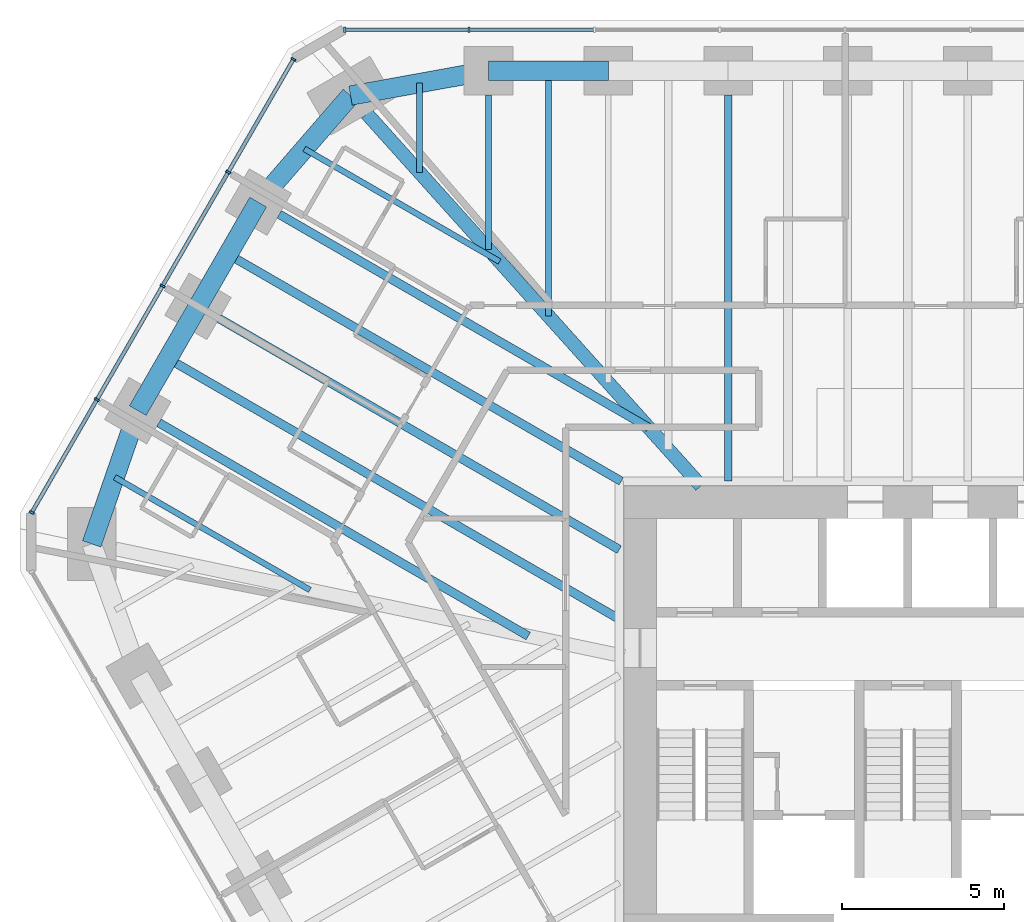
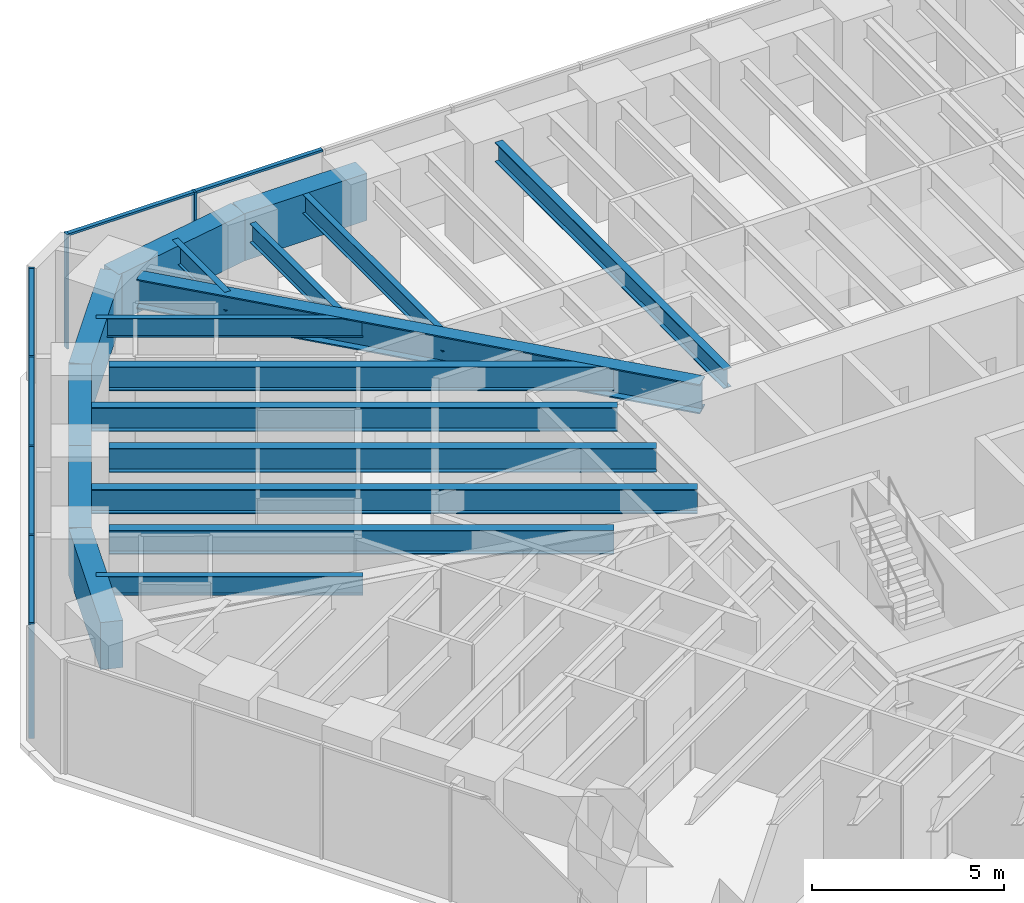
# One storey, part 7 of 17: 18 beams, 13 members, 2 elements without a shape of their own.
"""IFC4 building model written with IfcOpenShell, lengths in metres."""

from ifc_helpers import new_model, si_unit, direction, frame, origin, origin_2d, place, context, subcontext, project, spatial, rectangle, i_section, extrude, material, material_profile, profile_set, type_object, element, aggregate, save


model = new_model("IFC4")

# Units and contexts
model_context = context("Model", 3, precision=1e-05, world=origin(), true_north=direction((0.0, 1.0)))
body_context = subcontext(model_context, "Body", "Model", "MODEL_VIEW")
ifc_project = project(units=[si_unit("LENGTHUNIT", "METRE"), si_unit("AREAUNIT", "SQUARE_METRE"), si_unit("VOLUMEUNIT", "CUBIC_METRE"), si_unit("PLANEANGLEUNIT", "RADIAN"), si_unit("MASSUNIT", "GRAM", prefix="KILO")], contexts=[model_context])

# Site, building, storey
site_placement = place(None, origin())
site = spatial("IfcSite", under=ifc_project, at=site_placement, CompositionType="ELEMENT")
building_placement = place(site_placement, origin())
building = spatial("IfcBuilding", under=site, at=building_placement, Name="Sandreach Pilgrim Tower", CompositionType="ELEMENT")
storey_placement = place(building_placement, frame((0.0, 0.0, 194.60009765625)))
storey = spatial("IfcBuildingStorey", under=building, at=storey_placement, Name="L48", CompositionType="ELEMENT", Elevation=194.60009765625)

# Curtain wall, members
ifc_material_1 = material(Name="Aluminium framed curtain wall", Category="aluminium")
curtain_wall_type = type_object("IfcCurtainWallType", Name="Upper hotel tower curtain wall", PredefinedType="NOTDEFINED", material=ifc_material_1)
curtain_wall_1_placement = place(storey_placement, origin())
curtain_wall_1 = element("IfcCurtainWall", 1, at=curtain_wall_1_placement, inside=storey, type_object=curtain_wall_type, Name="CW-3 L48 N", PredefinedType="NOTDEFINED")
ifc_material_2 = material(Name="Aluminium extrusion", Category="aluminium")
ifc_material_profile_1 = material_profile(ifc_material_2, rectangle(XDim=0.06494140625, YDim=0.159912109375, at=origin_2d()), Name="CW-3M 65X160")
ifc_profile_set_1 = profile_set([ifc_material_profile_1], Name="Aluminium extrusion")
member_type_1 = type_object("IfcMemberType", Name="CW-3 mullion", PredefinedType="MULLION", material=ifc_profile_set_1)
member_1_placement = place(storey_placement, frame((-17.357421875, 21.16015625, 0.0), z_axis=(0.0, 0.0, 1.0), x_axis=(1.0, 0.0, 0.0)))
member_1 = element("IfcMember", 2, at=member_1_placement, type_object=member_type_1, Name="CW-3 mullion 1", PredefinedType="MULLION", context=body_context, shape_type="SweptSolid", body=[
    extrude(rectangle(XDim=0.06494140625, YDim=0.159912109375, at=origin_2d()), origin(), (0.0, 0.0, 1.0), 3.639892578125),
])
member_2_placement = place(storey_placement, frame((-13.525390625, 21.16015625, 0.0), z_axis=(0.0, 0.0, 1.0), x_axis=(1.0, 0.0, 0.0)))
member_2 = element("IfcMember", 3, at=member_2_placement, type_object=member_type_1, Name="CW-3 mullion 2", PredefinedType="MULLION", context=body_context, shape_type="SweptSolid", body=[
    extrude(rectangle(XDim=0.06494140625, YDim=0.159912109375, at=origin_2d()), origin(), (0.0, 0.0, 1.0), 3.639892578125),
])

curtain_wall_2_placement = place(storey_placement, origin())
curtain_wall_2 = element("IfcCurtainWall", 4, at=curtain_wall_2_placement, inside=storey, type_object=curtain_wall_type, Name="CW-3 L48 NW", PredefinedType="NOTDEFINED")
member_3_placement = place(storey_placement, frame((-27.00390625, 6.278076171875, 0.0), z_axis=(0.0, 0.0, 1.0), x_axis=(0.5, 0.866025403784, 0.0)))
member_3 = element("IfcMember", 5, at=member_3_placement, type_object=member_type_1, Name="CW-3 mullion 1", PredefinedType="MULLION", context=body_context, shape_type="SweptSolid", body=[
    extrude(rectangle(XDim=0.06494140625, YDim=0.159912109375, at=origin_2d()), origin(), (0.0, 0.0, 1.0), 3.639892578125),
])
member_4_placement = place(storey_placement, frame((-24.995849609375, 9.75634765625, 0.0), z_axis=(0.0, 0.0, 1.0), x_axis=(0.5, 0.866025403784, 0.0)))
member_4 = element("IfcMember", 6, at=member_4_placement, type_object=member_type_1, Name="CW-3 mullion 2", PredefinedType="MULLION", context=body_context, shape_type="SweptSolid", body=[
    extrude(rectangle(XDim=0.06494140625, YDim=0.159912109375, at=origin_2d()), origin(), (0.0, 0.0, 1.0), 3.639892578125),
])
member_5_placement = place(storey_placement, frame((-22.971435546875, 13.262451171875, 0.0), z_axis=(0.0, 0.0, 1.0), x_axis=(0.5, 0.866025403784, 0.0)))
member_5 = element("IfcMember", 7, at=member_5_placement, type_object=member_type_1, Name="CW-3 mullion 3", PredefinedType="MULLION", context=body_context, shape_type="SweptSolid", body=[
    extrude(rectangle(XDim=0.06494140625, YDim=0.159912109375, at=origin_2d()), origin(), (0.0, 0.0, 1.0), 3.639892578125),
])
member_6_placement = place(storey_placement, frame((-20.947021484375, 16.768798828125, 0.0), z_axis=(0.0, 0.0, 1.0), x_axis=(0.5, 0.866025403784, 0.0)))
member_6 = element("IfcMember", 8, at=member_6_placement, type_object=member_type_1, Name="CW-3 mullion 4", PredefinedType="MULLION", context=body_context, shape_type="SweptSolid", body=[
    extrude(rectangle(XDim=0.06494140625, YDim=0.159912109375, at=origin_2d()), origin(), (0.0, 0.0, 1.0), 3.639892578125),
])
member_7_placement = place(storey_placement, frame((-18.93896484375, 20.2470703125, 0.0), z_axis=(0.0, 0.0, 1.0), x_axis=(0.5, 0.866025403784, 0.0)))
member_7 = element("IfcMember", 9, at=member_7_placement, type_object=member_type_1, Name="CW-3 mullion 5", PredefinedType="MULLION", context=body_context, shape_type="SweptSolid", body=[
    extrude(rectangle(XDim=0.06494140625, YDim=0.159912109375, at=origin_2d()), origin(), (0.0, 0.0, 1.0), 3.639892578125),
])

# Member
ifc_material_3 = material(Name="Aluminium extrusion", Category="aluminium")
ifc_material_profile_2 = material_profile(ifc_material_3, rectangle(XDim=0.1201171875, YDim=0.070068359375, at=origin_2d()), Name="CW-3T 120X70")
ifc_profile_set_2 = profile_set([ifc_material_profile_2], Name="Aluminium extrusion")
member_type_2 = type_object("IfcMemberType", Name="CW-3 transom", PredefinedType="USERDEFINED", material=ifc_profile_set_2)
member_8_placement = place(storey_placement, frame((-17.324951171875, 21.16015625, 3.60498046875), z_axis=(1.0, 0.0, 0.0), x_axis=(0.0, 1.0, 0.0)))
member_8 = element("IfcMember", 10, at=member_8_placement, type_object=member_type_2, Name="CW-3 head transom 1", ObjectType="TRANSOM", PredefinedType="USERDEFINED", context=body_context, shape_type="SweptSolid", body=[
    extrude(rectangle(XDim=0.1201171875, YDim=0.070068359375, at=origin_2d()), origin(), (0.0, 0.0, 1.0), 3.76708984375),
])

member_9_placement = place(storey_placement, frame((-13.492919921875, 21.16015625, 3.60498046875), z_axis=(1.0, 0.0, 0.0), x_axis=(0.0, 1.0, 0.0)))
member_9 = element("IfcMember", 11, at=member_9_placement, type_object=member_type_2, Name="CW-3 head transom 2", ObjectType="TRANSOM", PredefinedType="USERDEFINED", context=body_context, shape_type="SweptSolid", body=[
    extrude(rectangle(XDim=0.1201171875, YDim=0.070068359375, at=origin_2d()), origin(), (0.0, 0.0, 1.0), 3.79931640625),
])

aggregate(curtain_wall_1, [member_1, member_2, member_8, member_9])

member_10_placement = place(storey_placement, frame((-26.987548828125, 6.306396484375, 3.60498046875), z_axis=(0.499993448556, 0.866029186229, 0.0), x_axis=(-0.866029186229, 0.499993448556, 0.0)))
member_10 = element("IfcMember", 12, at=member_10_placement, type_object=member_type_2, Name="CW-3 head transom 1", ObjectType="TRANSOM", PredefinedType="USERDEFINED", context=body_context, shape_type="SweptSolid", body=[
    extrude(rectangle(XDim=0.1201171875, YDim=0.070068359375, at=origin_2d()), origin(), (0.0, 0.0, 1.0), 3.951171875),
])

member_11_placement = place(storey_placement, frame((-24.9794921875, 9.784423828125, 3.60498046875), z_axis=(0.499975332564, 0.866039645067, 0.0), x_axis=(-0.866039645067, 0.499975332564, 0.0)))
member_11 = element("IfcMember", 13, at=member_11_placement, type_object=member_type_2, Name="CW-3 head transom 2", ObjectType="TRANSOM", PredefinedType="USERDEFINED", context=body_context, shape_type="SweptSolid", body=[
    extrude(rectangle(XDim=0.1201171875, YDim=0.070068359375, at=origin_2d()), origin(), (0.0, 0.0, 1.0), 3.983642578125),
])

member_12_placement = place(storey_placement, frame((-22.955078125, 13.290771484375, 3.60498046875), z_axis=(0.499975332564, 0.866039645067, 0.0), x_axis=(-0.866039645067, 0.499975332564, 0.0)))
member_12 = element("IfcMember", 14, at=member_12_placement, type_object=member_type_2, Name="CW-3 head transom 3", ObjectType="TRANSOM", PredefinedType="USERDEFINED", context=body_context, shape_type="SweptSolid", body=[
    extrude(rectangle(XDim=0.1201171875, YDim=0.070068359375, at=origin_2d()), origin(), (0.0, 0.0, 1.0), 3.983642578125),
])

member_13_placement = place(storey_placement, frame((-20.930908203125, 16.796875, 3.60498046875), z_axis=(0.499993448556, 0.866029186229, 0.0), x_axis=(-0.866029186229, 0.499993448556, 0.0)))
member_13 = element("IfcMember", 15, at=member_13_placement, type_object=member_type_2, Name="CW-3 head transom 4", ObjectType="TRANSOM", PredefinedType="USERDEFINED", context=body_context, shape_type="SweptSolid", body=[
    extrude(rectangle(XDim=0.1201171875, YDim=0.070068359375, at=origin_2d()), origin(), (0.0, 0.0, 1.0), 3.951171875),
])

aggregate(curtain_wall_2, [member_3, member_4, member_5, member_6, member_7, member_10, member_11, member_12, member_13])

# Beams
ifc_material_4 = material(Name="Steel ASTM A992 Grade 50", Category="steel")
ifc_material_profile_3 = material_profile(ifc_material_4, i_section(OverallWidth=0.421630859375, OverallDepth=0.937255859375, WebThickness=0.0224609375, FlangeThickness=0.039794921875, at=origin_2d()), Name="W36X282")
ifc_profile_set_3 = profile_set([ifc_material_profile_3], Name="Steel ASTM A992 Grade 50")
beam_type_1 = type_object("IfcBeamType", Name="Corner girder W36X282", PredefinedType="BEAM", material=ifc_profile_set_3)
beam_1_placement = place(storey_placement, frame((-16.677001953125, 18.572509765625, 3.17138671875), z_axis=(0.668116607722, -0.744056582853, 0.0), x_axis=(0.744056582853, 0.668116607722, 0.0)))
element("IfcBeam", 16, at=beam_1_placement, inside=storey, type_object=beam_type_1, Name="BM L48 CG39", PredefinedType="BEAM", context=body_context, shape_type="SweptSolid", body=[
    extrude(i_section(OverallWidth=0.421630859375, OverallDepth=0.937255859375, WebThickness=0.0224609375, FlangeThickness=0.039794921875, at=origin_2d()), origin(), (0.0, 0.0, 1.0), 15.418701171875),
])
ifc_material_5 = material(Name="Steel ASTM A992 Grade 50", Category="steel")
ifc_material_profile_4 = material_profile(ifc_material_5, i_section(OverallWidth=0.1787109375, OverallDepth=0.60205078125, WebThickness=0.010986328125, FlangeThickness=0.014892578125, at=origin_2d()), Name="W24X62")
ifc_profile_set_4 = profile_set([ifc_material_profile_4], Name="Steel ASTM A992 Grade 50")
beam_type_2 = type_object("IfcBeamType", Name="Floor beam W24X62", PredefinedType="BEAM", material=ifc_profile_set_4)
beam_2_placement = place(storey_placement, frame((-12.923828125, 19.150146484375, 3.3388671875), z_axis=(0.0, -1.0, 0.0), x_axis=(1.0, 0.0, 0.0)))
element("IfcBeam", 17, at=beam_2_placement, inside=storey, type_object=beam_type_2, Name="BM L48 F01", PredefinedType="BEAM", context=body_context, shape_type="SweptSolid", body=[
    extrude(i_section(OverallWidth=0.1787109375, OverallDepth=0.60205078125, WebThickness=0.010986328125, FlangeThickness=0.014892578125, at=origin_2d()), origin(), (0.0, 0.0, 1.0), 4.757568359375),
])
beam_3_placement = place(storey_placement, frame((-11.077392578125, 19.900146484375, 3.3388671875), z_axis=(0.0, -1.0, 0.0), x_axis=(1.0, 0.0, 0.0)))
element("IfcBeam", 18, at=beam_3_placement, inside=storey, type_object=beam_type_2, Name="BM L48 FM01", PredefinedType="BEAM", context=body_context, shape_type="SweptSolid", body=[
    extrude(i_section(OverallWidth=0.1787109375, OverallDepth=0.60205078125, WebThickness=0.010986328125, FlangeThickness=0.014892578125, at=origin_2d()), origin(), (0.0, 0.0, 1.0), 7.563720703125),
])
for number, where, z_axis, x_axis, name in (
    (19, (-24.446044921875, 7.365234375, 3.3388671875), (0.866029381593, -0.499993110171, 0.0), (0.499993110171, 0.866029381593, 0.0), "BM L48 FM35"),
    (20, (-18.6015625, 17.48828125, 3.3388671875), (0.866029381593, -0.499993110171, 0.0), (0.499993110171, 0.866029381593, 0.0), "BM L48 FM38"),
):
    element("IfcBeam", number, at=place(storey_placement, frame(where, z_axis=z_axis, x_axis=x_axis)), inside=storey, type_object=beam_type_2, Name=name, PredefinedType="BEAM", context=body_context, shape_type="SweptSolid", body=[
        extrude(i_section(OverallWidth=0.1787109375, OverallDepth=0.60205078125, WebThickness=0.010986328125, FlangeThickness=0.014892578125, at=origin_2d()), origin(), (0.0, 0.0, 1.0), 6.94921875),
    ])
beam_4_placement = place(storey_placement, frame((-15.05078125, 19.515380859375, 3.3388671875), z_axis=(0.0, -1.0, 0.0), x_axis=(1.0, 0.0, 0.0)))
element("IfcBeam", 21, at=beam_4_placement, inside=storey, type_object=beam_type_2, Name="BM L48 FM39", PredefinedType="BEAM", context=body_context, shape_type="SweptSolid", body=[
    extrude(i_section(OverallWidth=0.1787109375, OverallDepth=0.60205078125, WebThickness=0.010986328125, FlangeThickness=0.014892578125, at=origin_2d()), origin(), (0.0, 0.0, 1.0), 2.75390625),
])
ifc_material_6 = material(Name="Steel ASTM A992 Grade 50", Category="steel")
ifc_material_profile_5 = material_profile(ifc_material_6, i_section(OverallWidth=0.23046875, OverallDepth=0.6171875, WebThickness=0.01318359375, FlangeThickness=0.022216796875, at=origin_2d()), Name="W24X94")
ifc_profile_set_5 = profile_set([ifc_material_profile_5], Name="Steel ASTM A992 Grade 50")
beam_type_3 = type_object("IfcBeamType", Name="Floor beam W24X94", PredefinedType="BEAM", material=ifc_profile_set_5)
beam_5_placement = place(storey_placement, frame((-5.538818359375, 19.150146484375, 3.331298828125), z_axis=(0.0, -1.0, 0.0), x_axis=(1.0, 0.0, 0.0)))
element("IfcBeam", 22, at=beam_5_placement, inside=storey, type_object=beam_type_3, Name="BM L48 F03", PredefinedType="BEAM", context=body_context, shape_type="SweptSolid", body=[
    extrude(i_section(OverallWidth=0.23046875, OverallDepth=0.6171875, WebThickness=0.01318359375, FlangeThickness=0.022216796875, at=origin_2d()), origin(), (0.0, 0.0, 1.0), 11.90673828125),
])
ifc_material_7 = material(Name="Steel ASTM A992 Grade 50", Category="steel")
ifc_material_profile_6 = material_profile(ifc_material_7, i_section(OverallWidth=0.2666015625, OverallDepth=0.761962890625, WebThickness=0.014404296875, FlangeThickness=0.021484375, at=origin_2d()), Name="W30X116")
ifc_profile_set_6 = profile_set([ifc_material_profile_6], Name="Steel ASTM A992 Grade 50")
beam_type_4 = type_object("IfcBeamType", Name="Floor beam W30X116", PredefinedType="BEAM", material=ifc_profile_set_6)
beam_6_placement = place(storey_placement, frame((-23.0859375, 9.044189453125, 3.2587890625), z_axis=(0.866026962808, -0.499997299682, 0.0), x_axis=(0.499997299682, 0.866026962808, 0.0)))
element("IfcBeam", 23, at=beam_6_placement, inside=storey, type_object=beam_type_4, Name="BM L48 F36", PredefinedType="BEAM", context=body_context, shape_type="SweptSolid", body=[
    extrude(i_section(OverallWidth=0.2666015625, OverallDepth=0.761962890625, WebThickness=0.014404296875, FlangeThickness=0.021484375, at=origin_2d()), origin(), (0.0, 0.0, 1.0), 13.1484375),
])
beam_7_placement = place(storey_placement, frame((-21.230712890625, 12.257568359375, 3.2587890625), z_axis=(0.866024056942, -0.500002332792, 0.0), x_axis=(0.500002332792, 0.866024056942, 0.0)))
element("IfcBeam", 24, at=beam_7_placement, inside=storey, type_object=beam_type_4, Name="BM L48 F37", PredefinedType="BEAM", context=body_context, shape_type="SweptSolid", body=[
    extrude(i_section(OverallWidth=0.2666015625, OverallDepth=0.761962890625, WebThickness=0.014404296875, FlangeThickness=0.021484375, at=origin_2d()), origin(), (0.0, 0.0, 1.0), 14.24609375),
])
beam_8_placement = place(storey_placement, frame((-19.37548828125, 15.470947265625, 3.2587890625), z_axis=(0.866022320763, -0.500005339912, 0.0), x_axis=(0.500005339912, 0.866022320763, 0.0)))
element("IfcBeam", 25, at=beam_8_placement, inside=storey, type_object=beam_type_4, Name="BM L48 F38", PredefinedType="BEAM", context=body_context, shape_type="SweptSolid", body=[
    extrude(i_section(OverallWidth=0.2666015625, OverallDepth=0.761962890625, WebThickness=0.014404296875, FlangeThickness=0.021484375, at=origin_2d()), origin(), (0.0, 0.0, 1.0), 13.148193359375),
])
beam_9_placement = place(storey_placement, frame((-20.95263671875, 14.2392578125, 3.2587890625), z_axis=(0.866025770688, -0.499999364504, 0.0), x_axis=(0.499999364504, 0.866025770688, 0.0)))
element("IfcBeam", 26, at=beam_9_placement, inside=storey, type_object=beam_type_4, Name="BM L48 FM37", PredefinedType="BEAM", context=body_context, shape_type="SweptSolid", body=[
    extrude(i_section(OverallWidth=0.2666015625, OverallDepth=0.761962890625, WebThickness=0.014404296875, FlangeThickness=0.021484375, at=origin_2d()), origin(), (0.0, 0.0, 1.0), 13.99169921875),
])
ifc_material_8 = material(Name="Steel ASTM A992 Grade 50", Category="steel")
ifc_material_profile_7 = material_profile(ifc_material_8, i_section(OverallWidth=0.2666015625, OverallDepth=0.77978515625, WebThickness=0.0166015625, FlangeThickness=0.030029296875, at=origin_2d()), Name="W30X148")
ifc_profile_set_7 = profile_set([ifc_material_profile_7], Name="Steel ASTM A992 Grade 50")
beam_type_5 = type_object("IfcBeamType", Name="Floor beam W30X148", PredefinedType="BEAM", material=ifc_profile_set_7)
beam_10_placement = place(storey_placement, frame((-22.807861328125, 11.02587890625, 3.25), z_axis=(0.866028701771, -0.499994287676, 0.0), x_axis=(0.499994287676, 0.866028701771, 0.0)))
element("IfcBeam", 27, at=beam_10_placement, inside=storey, type_object=beam_type_5, Name="BM L48 FM36", PredefinedType="BEAM", context=body_context, shape_type="SweptSolid", body=[
    extrude(i_section(OverallWidth=0.2666015625, OverallDepth=0.77978515625, WebThickness=0.0166015625, FlangeThickness=0.030029296875, at=origin_2d()), origin(), (0.0, 0.0, 1.0), 16.067138671875),
])
ifc_material_9 = material(Name="Concrete 10000 psi", Category="concrete")
ifc_material_profile_8 = material_profile(ifc_material_9, rectangle(XDim=0.60009765625, YDim=1.5, at=origin_2d()), Name="RC600X1500")
ifc_profile_set_8 = profile_set([ifc_material_profile_8], Name="Concrete 10000 psi")
beam_type_6 = type_object("IfcBeamType", Name="Spandrel beam RC600X1500", PredefinedType="SPANDREL", material=ifc_profile_set_8)
beam_11_placement = place(storey_placement, frame((-12.923828125, 19.900146484375, 2.889892578125), z_axis=(1.0, 0.0, 0.0), x_axis=(0.0, 1.0, 0.0)))
element("IfcBeam", 28, at=beam_11_placement, inside=storey, type_object=beam_type_6, Name="BM L48 SP01", PredefinedType="SPANDREL", context=body_context, shape_type="SweptSolid", body=[
    extrude(rectangle(XDim=0.60009765625, YDim=1.5, at=origin_2d()), origin(), (0.0, 0.0, 1.0), 3.692626953125),
])
beam_12_placement = place(storey_placement, frame((-25.156494140625, 5.311279296875, 2.889892578125), z_axis=(0.326940800053, 0.945044820768, 0.0), x_axis=(-0.945044820768, 0.326940800053, 0.0)))
element("IfcBeam", 29, at=beam_12_placement, inside=storey, type_object=beam_type_6, Name="BM L48 SP35", PredefinedType="SPANDREL", context=body_context, shape_type="SweptSolid", body=[
    extrude(rectangle(XDim=0.60009765625, YDim=1.5, at=origin_2d()), origin(), (0.0, 0.0, 1.0), 4.3466796875),
])
for number, where, z_axis, x_axis, name in (
    (30, (-23.7353515625, 9.419189453125, 2.889892578125), (0.499946491854, 0.866056294523, 0.0), (-0.866056294523, 0.499946491854, 0.0), "BM L48 SP36"),
    (31, (-21.88037109375, 12.632568359375, 2.889892578125), (0.499995842751, 0.86602780396, 0.0), (-0.86602780396, 0.499995842751, 0.0), "BM L48 SP37"),
):
    element("IfcBeam", number, at=place(storey_placement, frame(where, z_axis=z_axis, x_axis=x_axis)), inside=storey, type_object=beam_type_6, Name=name, PredefinedType="SPANDREL", context=body_context, shape_type="SweptSolid", body=[
        extrude(rectangle(XDim=0.60009765625, YDim=1.5, at=origin_2d()), origin(), (0.0, 0.0, 1.0), 3.71044921875),
    ])
beam_13_placement = place(storey_placement, frame((-20.025146484375, 15.845947265625, 2.889892578125), z_axis=(0.65499040715, 0.755637192402, 0.0), x_axis=(-0.755637192402, 0.65499040715, 0.0)))
element("IfcBeam", 32, at=beam_13_placement, inside=storey, type_object=beam_type_6, Name="BM L48 SP38", PredefinedType="SPANDREL", context=body_context, shape_type="SweptSolid", body=[
    extrude(rectangle(XDim=0.60009765625, YDim=1.5, at=origin_2d()), origin(), (0.0, 0.0, 1.0), 4.346923828125),
])
beam_14_placement = place(storey_placement, frame((-17.177978515625, 19.130615234375, 2.889892578125), z_axis=(0.984030345637, 0.178000783326, 0.0), x_axis=(-0.178000783326, 0.984030345637, 0.0)))
element("IfcBeam", 33, at=beam_14_placement, inside=storey, type_object=beam_type_6, Name="BM L48 SP39", PredefinedType="SPANDREL", context=body_context, shape_type="SweptSolid", body=[
    extrude(rectangle(XDim=0.60009765625, YDim=1.5, at=origin_2d()), origin(), (0.0, 0.0, 1.0), 4.3232421875),
])

save(model, "model.ifc")
